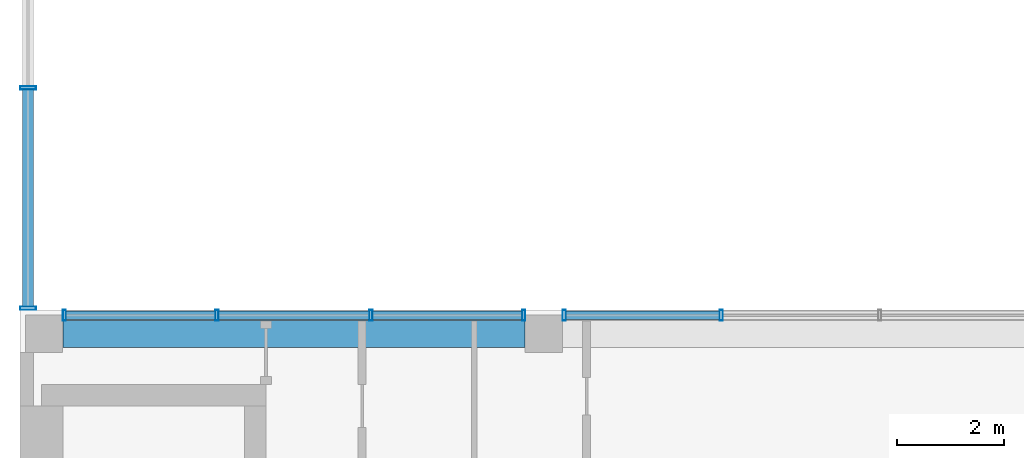
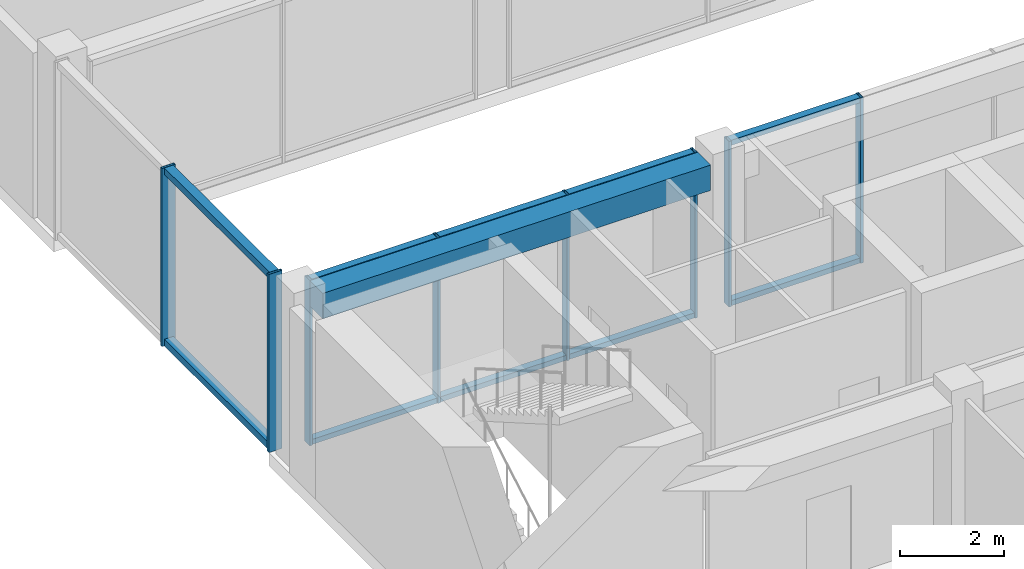
# One storey, part 6 of 27: 18 members, 1 beam, 3 elements without a shape of their own.
"""IFC4 building model written with IfcOpenShell, lengths in metres."""

from ifc_helpers import new_model, si_unit, direction, frame, origin, origin_2d, place, context, subcontext, project, spatial, rectangle, hollow_rectangle, extrude, material, layer, layer_set, material_profile, profile_set, type_object, element, aggregate, save


model = new_model("IFC4")

# Units and contexts
model_context = context("Model", 3, precision=1e-05, world=origin(), true_north=direction((0.0, 1.0)))
body_context = subcontext(model_context, "Body", "Model", "MODEL_VIEW")
ifc_project = project(units=[si_unit("LENGTHUNIT", "METRE"), si_unit("AREAUNIT", "SQUARE_METRE"), si_unit("VOLUMEUNIT", "CUBIC_METRE"), si_unit("PLANEANGLEUNIT", "RADIAN"), si_unit("MASSUNIT", "GRAM", prefix="KILO")], contexts=[model_context])

# Site, building, storey
site_placement = place(None, origin())
site = spatial("IfcSite", under=ifc_project, at=site_placement, CompositionType="ELEMENT")
building_placement = place(site_placement, origin())
building = spatial("IfcBuilding", under=site, at=building_placement, Name="Nzadi Deep Aquarium and Research Tower", CompositionType="ELEMENT")
storey_placement = place(building_placement, frame((0.0, 0.0, 69.699951171875)))
storey = spatial("IfcBuildingStorey", under=building, at=storey_placement, Name="L14", CompositionType="ELEMENT", Elevation=69.699951171875)

# Curtain wall, members
ifc_material_1 = material(Name="Aluminium unitised frame", Category="aluminium")
ifc_layer_1 = layer(ifc_material_1, 0.199951171875)
ifc_layer_set_1 = layer_set([ifc_layer_1], Name="Aluminium unitised frame")
curtain_wall_type_1 = type_object("IfcCurtainWallType", Name="Curtain wall Unitised 200", PredefinedType="NOTDEFINED", material=ifc_layer_set_1)
curtain_wall_1_placement = place(storey_placement, origin())
curtain_wall_1 = element("IfcCurtainWall", 1, at=curtain_wall_1_placement, inside=storey, type_object=curtain_wall_type_1, Name="Unitised curtain wall blade A north L14", PredefinedType="NOTDEFINED")
ifc_material_2 = material(Name="Aluminium unitised frame", Category="aluminium")
ifc_material_profile_1 = material_profile(ifc_material_2, hollow_rectangle(XDim=0.199951171875, YDim=0.06005859375, WallThickness=0.0048828125, at=origin_2d()))
ifc_profile_set_1 = profile_set([ifc_material_profile_1], Name="Aluminium unitised frame")
member_type_1 = type_object("IfcMemberType", Name="Mullion 60x200 Unitised", PredefinedType="MULLION", material=ifc_profile_set_1)
member_1_placement = place(storey_placement, frame((0.6298828125, 18.75, 0.0), z_axis=(0.0, 0.0, 1.0), x_axis=(0.0, 1.0, 0.0)))
member_1 = element("IfcMember", 2, at=member_1_placement, type_object=member_type_1, Name="CW065 mullion 1", PredefinedType="MULLION", context=body_context, shape_type="SweptSolid", body=[
    extrude(hollow_rectangle(XDim=0.199951171875, YDim=0.06005859375, WallThickness=0.0048828125, at=origin_2d()), origin(), (0.0, 0.0, 1.0), 3.900146484375),
])
member_2_placement = place(storey_placement, frame((3.4833984375, 18.75, 0.0), z_axis=(0.0, 0.0, 1.0), x_axis=(0.0, 1.0, 0.0)))
member_2 = element("IfcMember", 3, at=member_2_placement, type_object=member_type_1, Name="CW065 mullion 2", PredefinedType="MULLION", context=body_context, shape_type="SweptSolid", body=[
    extrude(hollow_rectangle(XDim=0.199951171875, YDim=0.06005859375, WallThickness=0.0048828125, at=origin_2d()), origin(), (0.0, 0.0, 1.0), 3.900146484375),
])
member_3_placement = place(storey_placement, frame((6.36669921875, 18.75, 0.0), z_axis=(0.0, 0.0, 1.0), x_axis=(0.0, 1.0, 0.0)))
member_3 = element("IfcMember", 4, at=member_3_placement, type_object=member_type_1, Name="CW065 mullion 3", PredefinedType="MULLION", context=body_context, shape_type="SweptSolid", body=[
    extrude(hollow_rectangle(XDim=0.199951171875, YDim=0.06005859375, WallThickness=0.0048828125, at=origin_2d()), origin(), (0.0, 0.0, 1.0), 3.900146484375),
])
member_4_placement = place(storey_placement, frame((9.219970703125, 18.75, 0.0), z_axis=(0.0, 0.0, 1.0), x_axis=(0.0, 1.0, 0.0)))
member_4 = element("IfcMember", 5, at=member_4_placement, type_object=member_type_1, Name="CW065 mullion 4", PredefinedType="MULLION", context=body_context, shape_type="SweptSolid", body=[
    extrude(hollow_rectangle(XDim=0.199951171875, YDim=0.06005859375, WallThickness=0.0048828125, at=origin_2d()), origin(), (0.0, 0.0, 1.0), 3.900146484375),
])

curtain_wall_2_placement = place(storey_placement, origin())
curtain_wall_2 = element("IfcCurtainWall", 6, at=curtain_wall_2_placement, inside=storey, type_object=curtain_wall_type_1, Name="Unitised curtain wall blade A north L14", PredefinedType="NOTDEFINED")
member_5_placement = place(storey_placement, frame((9.97998046875, 18.75, 0.0), z_axis=(0.0, 0.0, 1.0), x_axis=(0.0, 1.0, 0.0)))
member_5 = element("IfcMember", 7, at=member_5_placement, type_object=member_type_1, Name="CW066 mullion 1", PredefinedType="MULLION", context=body_context, shape_type="SweptSolid", body=[
    extrude(hollow_rectangle(XDim=0.199951171875, YDim=0.06005859375, WallThickness=0.0048828125, at=origin_2d()), origin(), (0.0, 0.0, 1.0), 3.900146484375),
])
member_6_placement = place(storey_placement, frame((12.916748046875, 18.75, 0.0), z_axis=(0.0, 0.0, 1.0), x_axis=(0.0, 1.0, 0.0)))
member_6 = element("IfcMember", 8, at=member_6_placement, type_object=member_type_1, Name="CW066 mullion 2", PredefinedType="MULLION", context=body_context, shape_type="SweptSolid", body=[
    extrude(hollow_rectangle(XDim=0.199951171875, YDim=0.06005859375, WallThickness=0.0048828125, at=origin_2d()), origin(), (0.0, 0.0, 1.0), 3.900146484375),
])

ifc_material_3 = material(Name="Aluminium unitised frame wind post", Category="aluminium")
ifc_layer_2 = layer(ifc_material_3, 0.300048828125)
ifc_layer_set_2 = layer_set([ifc_layer_2], Name="Aluminium unitised frame wind post")
curtain_wall_type_2 = type_object("IfcCurtainWallType", Name="Curtain wall Slot End 300", PredefinedType="NOTDEFINED", material=ifc_layer_set_2)
curtain_wall_3_placement = place(storey_placement, origin())
curtain_wall_3 = element("IfcCurtainWall", 9, at=curtain_wall_3_placement, inside=storey, type_object=curtain_wall_type_2, Name="Glazed slot end west L14", PredefinedType="NOTDEFINED")
ifc_material_4 = material(Name="Aluminium unitised frame wind post", Category="aluminium")
ifc_material_profile_2 = material_profile(ifc_material_4, hollow_rectangle(XDim=0.300048828125, YDim=0.06005859375, WallThickness=0.0048828125, at=origin_2d()))
ifc_profile_set_2 = profile_set([ifc_material_profile_2], Name="Aluminium unitised frame wind post")
member_type_2 = type_object("IfcMemberType", Name="Mullion 60x300 Slot End", PredefinedType="MULLION", material=ifc_profile_set_2)
member_7_placement = place(storey_placement, frame((-0.049560546875, 18.8798828125, 0.0), z_axis=(0.0, 0.0, 1.0), x_axis=(-1.0, 0.0, 0.0)))
member_7 = element("IfcMember", 10, at=member_7_placement, type_object=member_type_2, Name="CW219 mullion 1", PredefinedType="MULLION", context=body_context, shape_type="SweptSolid", body=[
    extrude(hollow_rectangle(XDim=0.300048828125, YDim=0.06005859375, WallThickness=0.0048828125, at=origin_2d()), origin(), (0.0, 0.0, 1.0), 4.199951171875),
])
member_8_placement = place(storey_placement, frame((-0.049560546875, 23.0, 0.0), z_axis=(0.0, 0.0, 1.0), x_axis=(-1.0, 0.0, 0.0)))
member_8 = element("IfcMember", 11, at=member_8_placement, type_object=member_type_2, Name="CW219 mullion 2", PredefinedType="MULLION", context=body_context, shape_type="SweptSolid", body=[
    extrude(hollow_rectangle(XDim=0.300048828125, YDim=0.06005859375, WallThickness=0.0048828125, at=origin_2d()), origin(), (0.0, 0.0, 1.0), 4.199951171875),
])

# Beam
ifc_material_5 = material(Name="Concrete C35/45", Category="concrete")
ifc_material_profile_3 = material_profile(ifc_material_5, rectangle(XDim=0.5, YDim=0.60009765625, at=origin_2d()))
ifc_profile_set_3 = profile_set([ifc_material_profile_3], Name="Concrete C35/45")
beam_type = type_object("IfcBeamType", Name="RC 500x600", PredefinedType="BEAM", material=ifc_profile_set_3)
beam_placement = place(storey_placement, frame((0.60009765625, 18.39990234375, 3.60009765625), z_axis=(1.0, 0.0, 0.0), x_axis=(0.0, 1.0, 0.0)))
element("IfcBeam", 12, at=beam_placement, inside=storey, type_object=beam_type, Name="B-Z1-L14-L3-1", PredefinedType="BEAM", context=body_context, shape_type="SweptSolid", body=[
    extrude(rectangle(XDim=0.5, YDim=0.60009765625, at=origin_2d()), origin(), (0.0, 0.0, 1.0), 8.64990234375),
])

# Member
ifc_material_6 = material(Name="Aluminium unitised frame", Category="aluminium")
ifc_material_profile_4 = material_profile(ifc_material_6, hollow_rectangle(XDim=0.159912109375, YDim=0.1201171875, WallThickness=0.0048828125, at=origin_2d()))
ifc_profile_set_4 = profile_set([ifc_material_profile_4], Name="Aluminium unitised frame")
member_type_3 = type_object("IfcMemberType", Name="Transom 120x160 Unitised", PredefinedType="MULLION", material=ifc_profile_set_4)
member_9_placement = place(storey_placement, frame((0.659912109375, 18.75, 0.06005859375), z_axis=(1.0, 0.0, 0.0), x_axis=(0.0, 1.0, 0.0)))
member_9 = element("IfcMember", 13, at=member_9_placement, type_object=member_type_3, Name="CW065 transom 1.1", PredefinedType="MULLION", context=body_context, shape_type="SweptSolid", body=[
    extrude(hollow_rectangle(XDim=0.159912109375, YDim=0.1201171875, WallThickness=0.0048828125, at=origin_2d()), origin(), (0.0, 0.0, 1.0), 2.79345703125),
])

member_10_placement = place(storey_placement, frame((0.659912109375, 18.75, 3.840087890625), z_axis=(1.0, 0.0, 0.0), x_axis=(0.0, 1.0, 0.0)))
member_10 = element("IfcMember", 14, at=member_10_placement, type_object=member_type_3, Name="CW065 transom 1.2", PredefinedType="MULLION", context=body_context, shape_type="SweptSolid", body=[
    extrude(hollow_rectangle(XDim=0.159912109375, YDim=0.1201171875, WallThickness=0.0048828125, at=origin_2d()), origin(), (0.0, 0.0, 1.0), 2.79345703125),
])

member_11_placement = place(storey_placement, frame((3.513427734375, 18.75, 0.06005859375), z_axis=(1.0, 0.0, 0.0), x_axis=(0.0, 1.0, 0.0)))
member_11 = element("IfcMember", 15, at=member_11_placement, type_object=member_type_3, Name="CW065 transom 2.1", PredefinedType="MULLION", context=body_context, shape_type="SweptSolid", body=[
    extrude(hollow_rectangle(XDim=0.159912109375, YDim=0.1201171875, WallThickness=0.0048828125, at=origin_2d()), origin(), (0.0, 0.0, 1.0), 2.8232421875),
])

member_12_placement = place(storey_placement, frame((3.513427734375, 18.75, 3.840087890625), z_axis=(1.0, 0.0, 0.0), x_axis=(0.0, 1.0, 0.0)))
member_12 = element("IfcMember", 16, at=member_12_placement, type_object=member_type_3, Name="CW065 transom 2.2", PredefinedType="MULLION", context=body_context, shape_type="SweptSolid", body=[
    extrude(hollow_rectangle(XDim=0.159912109375, YDim=0.1201171875, WallThickness=0.0048828125, at=origin_2d()), origin(), (0.0, 0.0, 1.0), 2.8232421875),
])

member_13_placement = place(storey_placement, frame((6.396728515625, 18.75, 0.06005859375), z_axis=(1.0, 0.0, 0.0), x_axis=(0.0, 1.0, 0.0)))
member_13 = element("IfcMember", 17, at=member_13_placement, type_object=member_type_3, Name="CW065 transom 3.1", PredefinedType="MULLION", context=body_context, shape_type="SweptSolid", body=[
    extrude(hollow_rectangle(XDim=0.159912109375, YDim=0.1201171875, WallThickness=0.0048828125, at=origin_2d()), origin(), (0.0, 0.0, 1.0), 2.793212890625),
])

member_14_placement = place(storey_placement, frame((6.396728515625, 18.75, 3.840087890625), z_axis=(1.0, 0.0, 0.0), x_axis=(0.0, 1.0, 0.0)))
member_14 = element("IfcMember", 18, at=member_14_placement, type_object=member_type_3, Name="CW065 transom 3.2", PredefinedType="MULLION", context=body_context, shape_type="SweptSolid", body=[
    extrude(hollow_rectangle(XDim=0.159912109375, YDim=0.1201171875, WallThickness=0.0048828125, at=origin_2d()), origin(), (0.0, 0.0, 1.0), 2.793212890625),
])

aggregate(curtain_wall_1, [member_1, member_2, member_3, member_4, member_9, member_10, member_11, member_12, member_13, member_14])

member_15_placement = place(storey_placement, frame((10.010009765625, 18.75, 0.06005859375), z_axis=(1.0, 0.0, 0.0), x_axis=(0.0, 1.0, 0.0)))
member_15 = element("IfcMember", 19, at=member_15_placement, type_object=member_type_3, Name="CW066 transom 1.1", PredefinedType="MULLION", context=body_context, shape_type="SweptSolid", body=[
    extrude(hollow_rectangle(XDim=0.159912109375, YDim=0.1201171875, WallThickness=0.0048828125, at=origin_2d()), origin(), (0.0, 0.0, 1.0), 2.876708984375),
])

member_16_placement = place(storey_placement, frame((10.010009765625, 18.75, 3.840087890625), z_axis=(1.0, 0.0, 0.0), x_axis=(0.0, 1.0, 0.0)))
member_16 = element("IfcMember", 20, at=member_16_placement, type_object=member_type_3, Name="CW066 transom 1.2", PredefinedType="MULLION", context=body_context, shape_type="SweptSolid", body=[
    extrude(hollow_rectangle(XDim=0.159912109375, YDim=0.1201171875, WallThickness=0.0048828125, at=origin_2d()), origin(), (0.0, 0.0, 1.0), 2.876708984375),
])

aggregate(curtain_wall_2, [member_5, member_6, member_15, member_16])

ifc_material_7 = material(Name="Aluminium unitised frame wind post", Category="aluminium")
ifc_material_profile_5 = material_profile(ifc_material_7, hollow_rectangle(XDim=0.199951171875, YDim=0.159912109375, WallThickness=0.0048828125, at=origin_2d()))
ifc_profile_set_5 = profile_set([ifc_material_profile_5], Name="Aluminium unitised frame wind post")
member_type_4 = type_object("IfcMemberType", Name="Transom 160x200 Slot End", PredefinedType="MULLION", material=ifc_profile_set_5)
member_17_placement = place(storey_placement, frame((-0.050048828125, 18.909912109375, 0.080078125), z_axis=(0.0, 1.0, 0.0), x_axis=(-1.0, 0.0, 0.0)))
member_17 = element("IfcMember", 21, at=member_17_placement, type_object=member_type_4, Name="CW219 transom 1.1", PredefinedType="MULLION", context=body_context, shape_type="SweptSolid", body=[
    extrude(hollow_rectangle(XDim=0.199951171875, YDim=0.159912109375, WallThickness=0.0048828125, at=origin_2d()), origin(), (0.0, 0.0, 1.0), 4.06005859375),
])

member_18_placement = place(storey_placement, frame((-0.050048828125, 18.909912109375, 4.1201171875), z_axis=(0.0, 1.0, 0.0), x_axis=(-1.0, 0.0, 0.0)))
member_18 = element("IfcMember", 22, at=member_18_placement, type_object=member_type_4, Name="CW219 transom 1.2", PredefinedType="MULLION", context=body_context, shape_type="SweptSolid", body=[
    extrude(hollow_rectangle(XDim=0.199951171875, YDim=0.159912109375, WallThickness=0.0048828125, at=origin_2d()), origin(), (0.0, 0.0, 1.0), 4.06005859375),
])

aggregate(curtain_wall_3, [member_7, member_8, member_17, member_18])

save(model, "model.ifc")
